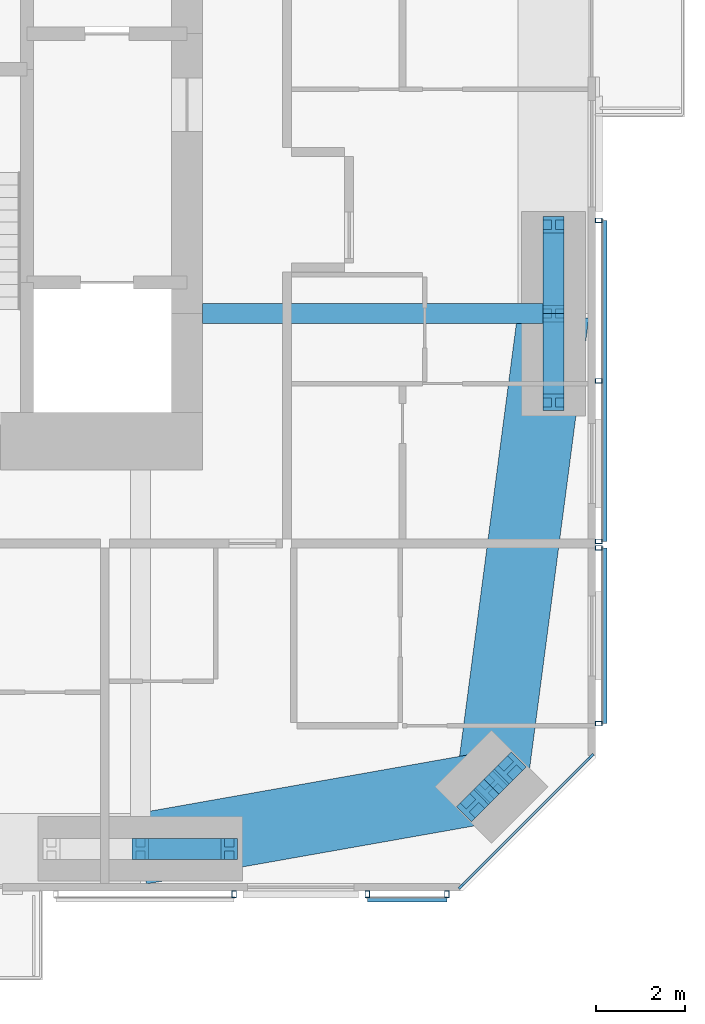
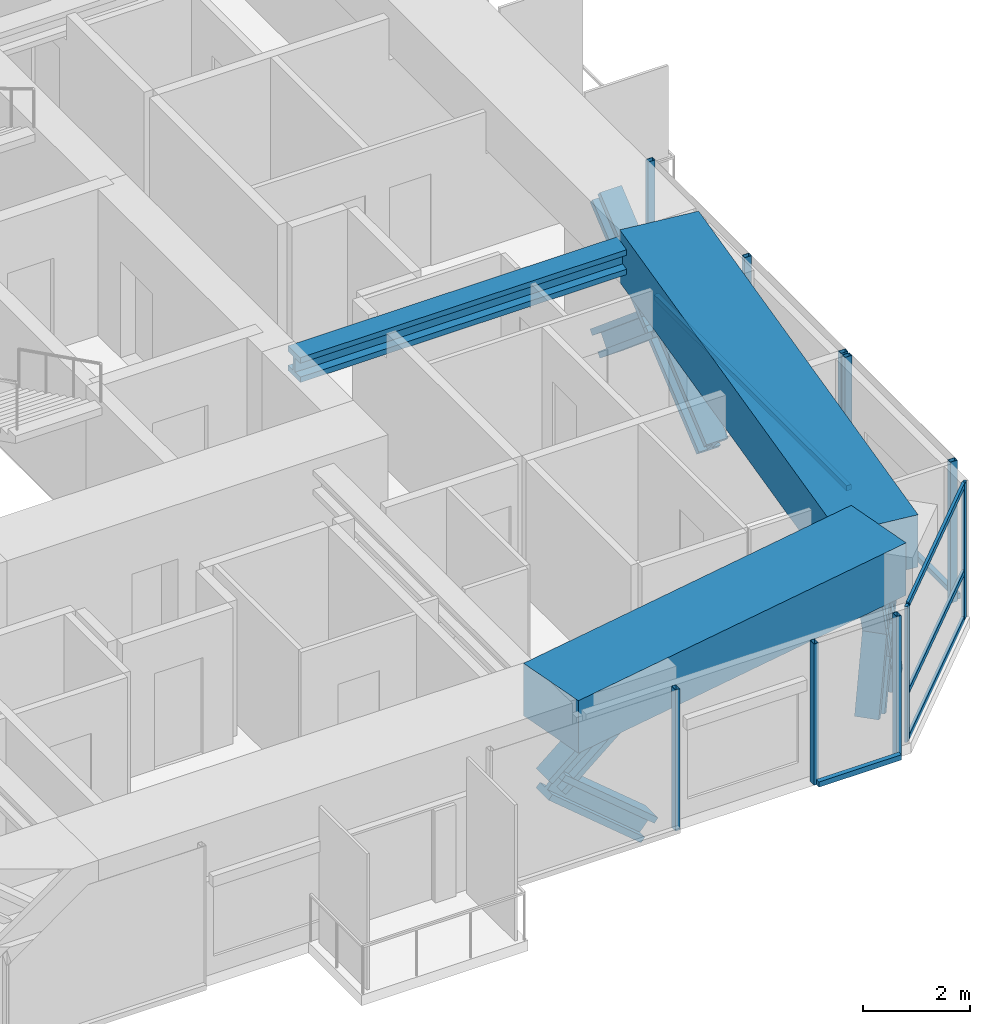
# One storey, part 7 of 23: 26 members, 3 beams, 5 elements without a shape of their own.
"""IFC4 building model written with IfcOpenShell, lengths in metres."""

from ifc_helpers import new_model, si_unit, direction, frame, origin, origin_2d, place, context, subcontext, project, spatial, rectangle, hollow_rectangle, i_section, extrude, material, material_profile, profile_set, type_object, element, aggregate, save


model = new_model("IFC4")

# Units and contexts
model_context = context("Model", 3, precision=1e-05, world=origin(), true_north=direction((0.0, 1.0)))
body_context = subcontext(model_context, "Body", "Model", "MODEL_VIEW")
ifc_project = project(units=[si_unit("LENGTHUNIT", "METRE"), si_unit("AREAUNIT", "SQUARE_METRE"), si_unit("VOLUMEUNIT", "CUBIC_METRE"), si_unit("PLANEANGLEUNIT", "RADIAN"), si_unit("MASSUNIT", "GRAM", prefix="KILO")], contexts=[model_context])

# Site, building, storey
site_placement = place(None, origin())
site = spatial("IfcSite", under=ifc_project, at=site_placement, CompositionType="ELEMENT")
building_placement = place(site_placement, origin())
building = spatial("IfcBuilding", under=site, at=building_placement, Name="Jalousie Tower", CompositionType="ELEMENT")
storey_placement = place(building_placement, frame((0.0, 0.0, 171.10009765625)))
storey = spatial("IfcBuildingStorey", under=building, at=storey_placement, Name="L46", CompositionType="ELEMENT", Elevation=171.10009765625)

# Curtain wall, members
ifc_material_1 = material(Name="Aluminium curtain wall", Category="aluminium")
curtain_wall_type_1 = type_object("IfcCurtainWallType", Name="CORNER WINDOW WALL", PredefinedType="USERDEFINED", material=ifc_material_1)
curtain_wall_1_placement = place(storey_placement, origin())
curtain_wall_1 = element("IfcCurtainWall", 1, at=curtain_wall_1_placement, inside=storey, type_object=curtain_wall_type_1, Name="Corner Window Wall L46 2", ObjectType="CORNER WINDOW WALL", PredefinedType="USERDEFINED")
ifc_material_2 = material(Name="Aluminium mullion", Category="aluminium")
ifc_material_profile_1 = material_profile(ifc_material_2, rectangle(XDim=0.06005859375, YDim=0.14990234375, at=origin_2d()), Name="MULLION 60x150")
ifc_profile_set_1 = profile_set([ifc_material_profile_1], Name="Aluminium mullion")
member_type_1 = type_object("IfcMemberType", Name="CORNER WINDOW WALL MULLION", PredefinedType="MULLION", material=ifc_profile_set_1)
member_1_placement = place(storey_placement, frame((49.969970703125, 0.108642578125, 0.0), z_axis=(0.0, 0.0, 1.0), x_axis=(-0.707106781187, 0.707106781187, 0.0)))
member_1 = element("IfcMember", 2, at=member_1_placement, type_object=member_type_1, Name="CW-C mullion 1", PredefinedType="MULLION", context=body_context, shape_type="SweptSolid", body=[
    extrude(rectangle(XDim=0.06005859375, YDim=0.14990234375, at=origin_2d()), origin(), (0.0, 0.0, 1.0), 3.10986328125),
])
member_2_placement = place(storey_placement, frame((52.891357421875, 3.030029296875, 0.0), z_axis=(0.0, 0.0, 1.0), x_axis=(-0.707106781187, 0.707106781187, 0.0)))
member_2 = element("IfcMember", 3, at=member_2_placement, type_object=member_type_1, Name="CW-C mullion 2", PredefinedType="MULLION", context=body_context, shape_type="SweptSolid", body=[
    extrude(rectangle(XDim=0.06005859375, YDim=0.14990234375, at=origin_2d()), origin(), (0.0, 0.0, 1.0), 3.10986328125),
])
ifc_material_3 = material(Name="Aluminium transom", Category="aluminium")
ifc_material_profile_2 = material_profile(ifc_material_3, rectangle(XDim=0.06005859375, YDim=0.1201171875, at=origin_2d()), Name="TRANSOM 60x120")
ifc_profile_set_2 = profile_set([ifc_material_profile_2], Name="Aluminium transom")
member_type_2 = type_object("IfcMemberType", Name="CORNER WINDOW WALL TRANSOM", PredefinedType="USERDEFINED", material=ifc_profile_set_2)
member_3_placement = place(storey_placement, frame((49.9912109375, 0.1298828125, 0.02978515625), z_axis=(0.707106781187, 0.707106781187, 0.0), x_axis=(-0.707106781187, 0.707106781187, 0.0)))
member_3 = element("IfcMember", 4, at=member_3_placement, type_object=member_type_2, Name="CW-C transom 1.1", ObjectType="TRANSOM", PredefinedType="USERDEFINED", context=body_context, shape_type="SweptSolid", body=[
    extrude(rectangle(XDim=0.06005859375, YDim=0.1201171875, at=origin_2d()), origin(), (0.0, 0.0, 1.0), 4.0712890625),
])
member_4_placement = place(storey_placement, frame((49.9912109375, 0.1298828125, 1.099853515625), z_axis=(0.707106781187, 0.707106781187, 0.0), x_axis=(-0.707106781187, 0.707106781187, 0.0)))
member_4 = element("IfcMember", 5, at=member_4_placement, type_object=member_type_2, Name="CW-C transom 1.2", ObjectType="TRANSOM", PredefinedType="USERDEFINED", context=body_context, shape_type="SweptSolid", body=[
    extrude(rectangle(XDim=0.06005859375, YDim=0.1201171875, at=origin_2d()), origin(), (0.0, 0.0, 1.0), 4.0712890625),
])
member_5_placement = place(storey_placement, frame((49.9912109375, 0.1298828125, 3.079833984375), z_axis=(0.707106781187, 0.707106781187, 0.0), x_axis=(-0.707106781187, 0.707106781187, 0.0)))
member_5 = element("IfcMember", 6, at=member_5_placement, type_object=member_type_2, Name="CW-C transom 1.3", ObjectType="TRANSOM", PredefinedType="USERDEFINED", context=body_context, shape_type="SweptSolid", body=[
    extrude(rectangle(XDim=0.06005859375, YDim=0.1201171875, at=origin_2d()), origin(), (0.0, 0.0, 1.0), 4.0712890625),
])
aggregate(curtain_wall_1, [member_1, member_2, member_3, member_4, member_5])

# Beam
ifc_material_4 = material(Name="Steel ASTM A992 Grade 50", Category="steel")
ifc_material_profile_3 = material_profile(ifc_material_4, i_section(OverallWidth=0.45458984375, OverallDepth=0.569091796875, WebThickness=0.077880859375, FlangeThickness=0.124755859375, at=origin_2d()), Name="W14X730")
ifc_profile_set_3 = profile_set([ifc_material_profile_3], Name="Steel ASTM A992 Grade 50")
beam_type_1 = type_object("IfcBeamType", Name="LEAN COLLECTOR W14X730", PredefinedType="BEAM", material=ifc_profile_set_3)
beam_1_placement = place(storey_placement, frame((52.050048828125, 13.0, 2.825439453125), z_axis=(-1.0, 0.0, 0.0), x_axis=(0.0, -1.0, 0.0)))
element("IfcBeam", 7, at=beam_1_placement, inside=storey, type_object=beam_type_1, Name="Lean collector under L47", PredefinedType="BEAM", context=body_context, shape_type="SweptSolid", body=[
    extrude(i_section(OverallWidth=0.45458984375, OverallDepth=0.569091796875, WebThickness=0.077880859375, FlangeThickness=0.124755859375, at=origin_2d()), origin(), (0.0, 0.0, 1.0), 7.900146484375),
])

# Members
ifc_material_5 = material(Name="Steel ASTM A992 Grade 50", Category="steel")
ifc_material_profile_4 = material_profile(ifc_material_5, i_section(OverallWidth=0.472412109375, OverallDepth=0.5791015625, WebThickness=0.094970703125, FlangeThickness=0.1298828125, at=origin_2d()), Name="W14X808")
ifc_profile_set_4 = profile_set([ifc_material_profile_4], Name="Steel ASTM A992 Grade 50")
member_type_3 = type_object("IfcMemberType", Name="PERIMETER BRACE W14X808", PredefinedType="BRACE", material=ifc_profile_set_4)
for number, where, z_axis, x_axis, name in (
    (8, (42.75, 0.949951171875, 1.074951171875), (0.766638753323, 0.0, 0.642078672674), (0.0, 1.0, 0.0), "Perimeter brace 04 L46 part 2"),
    (9, (44.75, 0.949951171875, -0.60009765625), (-0.766638753323, 0.0, 0.642078672674), (0.0, -1.0, 0.0), "Perimeter brace 04 L46 part 3"),
):
    element("IfcMember", number, at=place(storey_placement, frame(where, z_axis=z_axis, x_axis=x_axis)), inside=storey, type_object=member_type_3, Name=name, PredefinedType="BRACE", context=body_context, shape_type="SweptSolid", body=[
        extrude(i_section(OverallWidth=0.472412109375, OverallDepth=0.5791015625, WebThickness=0.094970703125, FlangeThickness=0.1298828125, at=origin_2d()), origin(), (0.0, 0.0, 1.0), 2.60888671875),
    ])
for number, where, z_axis, x_axis, name in (
    (10, (50.227294921875, 1.92431640625, -0.60009765625), (0.238482757655, 0.238345540878, 0.941444303953), (-0.706903267951, 0.707310235866, 0.0), "Perimeter brace 05 L46 part 1"),
    (11, (50.651611328125, 2.348388671875, 1.074951171875), (0.238345540878, 0.238482757655, 0.941444303953), (-0.707310235866, 0.706903267951, 0.0), "Perimeter brace 05 L46 part 2"),
    (12, (51.07568359375, 2.772705078125, -0.60009765625), (-0.238345540878, -0.238482757655, 0.941444303953), (0.707310235866, -0.706903267951, 0.0), "Perimeter brace 05 L46 part 3"),
    (13, (50.651611328125, 2.348388671875, 1.074951171875), (-0.238482757655, -0.238345540878, 0.941444303953), (0.706903267951, -0.707310235866, 0.0), "Perimeter brace 05 L46 part 4"),
):
    element("IfcMember", number, at=place(storey_placement, frame(where, z_axis=z_axis, x_axis=x_axis)), inside=storey, type_object=member_type_3, Name=name, PredefinedType="BRACE", context=body_context, shape_type="SweptSolid", body=[
        extrude(i_section(OverallWidth=0.472412109375, OverallDepth=0.5791015625, WebThickness=0.094970703125, FlangeThickness=0.1298828125, at=origin_2d()), origin(), (0.0, 0.0, 1.0), 1.779296875),
    ])
for number, where, z_axis, x_axis, name in (
    (14, (52.050048828125, 11.0, -0.60009765625), (0.0, 0.766638753323, 0.642078672674), (-1.0, 0.0, 0.0), "Perimeter brace 06 L46 part 1"),
    (15, (52.050048828125, 13.0, 1.074951171875), (0.0, 0.766638753323, 0.642078672674), (-1.0, 0.0, 0.0), "Perimeter brace 06 L46 part 2"),
    (16, (52.050048828125, 15.0, -0.60009765625), (0.0, -0.766638753323, 0.642078672674), (1.0, 0.0, 0.0), "Perimeter brace 06 L46 part 3"),
    (17, (52.050048828125, 13.0, 1.074951171875), (0.0, -0.766638753323, 0.642078672674), (1.0, 0.0, 0.0), "Perimeter brace 06 L46 part 4"),
):
    element("IfcMember", number, at=place(storey_placement, frame(where, z_axis=z_axis, x_axis=x_axis)), inside=storey, type_object=member_type_3, Name=name, PredefinedType="BRACE", context=body_context, shape_type="SweptSolid", body=[
        extrude(i_section(OverallWidth=0.472412109375, OverallDepth=0.5791015625, WebThickness=0.094970703125, FlangeThickness=0.1298828125, at=origin_2d()), origin(), (0.0, 0.0, 1.0), 2.60888671875),
    ])

# Beams
ifc_material_6 = material(Name="Concrete f'c 40 MPa", Category="concrete")
ifc_material_profile_5 = material_profile(ifc_material_6, rectangle(XDim=1.60009765625, YDim=1.199951171875, at=origin_2d()), Name="RC 1600x1200")
ifc_profile_set_5 = profile_set([ifc_material_profile_5], Name="Concrete f'c 40 MPa")
beam_type_2 = type_object("IfcBeamType", Name="RC BEAM 1600x1200", PredefinedType="BEAM", material=ifc_profile_set_5)
beam_2_placement = place(storey_placement, frame((42.75, 0.949951171875, 2.75), z_axis=(0.984697370688, 0.174273027632, 0.0), x_axis=(-0.174273027632, 0.984697370688, 0.0)))
element("IfcBeam", 18, at=beam_2_placement, inside=storey, type_object=beam_type_2, Name="Edge band beam 04-05 under L47", PredefinedType="BEAM", context=body_context, shape_type="SweptSolid", body=[
    extrude(rectangle(XDim=1.60009765625, YDim=1.199951171875, at=origin_2d()), origin(), (0.0, 0.0, 1.0), 8.0244140625),
])
beam_3_placement = place(storey_placement, frame((50.651611328125, 2.348388671875, 2.75), z_axis=(0.130171745558, 0.991491460709, 0.0), x_axis=(-0.991491460709, 0.130171745558, 0.0)))
element("IfcBeam", 19, at=beam_3_placement, inside=storey, type_object=beam_type_2, Name="Edge band beam 05-06 under L47", PredefinedType="BEAM", context=body_context, shape_type="SweptSolid", body=[
    extrude(rectangle(XDim=1.60009765625, YDim=1.199951171875, at=origin_2d()), origin(), (0.0, 0.0, 1.0), 10.742919921875),
])

# Curtain wall, member
ifc_material_7 = material(Name="Perforated aluminium sheet", Category="aluminium")
curtain_wall_type_2 = type_object("IfcCurtainWallType", Name="SOLAR SCREEN SS-1", PredefinedType="USERDEFINED", material=ifc_material_7)
curtain_wall_2_placement = place(storey_placement, origin())
curtain_wall_2 = element("IfcCurtainWall", 20, at=curtain_wall_2_placement, inside=storey, type_object=curtain_wall_type_2, Name="Solar screen L46", ObjectType="SOLAR SCREEN SS-1", PredefinedType="USERDEFINED")
ifc_material_8 = material(Name="Steel ASTM A500 Grade C", Category="steel")
ifc_material_profile_6 = material_profile(ifc_material_8, hollow_rectangle(XDim=0.1015625, YDim=0.15234375, WallThickness=0.00634765625, at=origin_2d()), Name="HSS6X4X1/4")
ifc_profile_set_6 = profile_set([ifc_material_profile_6], Name="Steel ASTM A500 Grade C")
member_type_4 = type_object("IfcMemberType", Name="SOLAR SCREEN SS-1 MULLION", PredefinedType="MULLION", material=ifc_profile_set_6)
member_6_placement = place(storey_placement, frame((44.859375, -0.0712890625, -0.1201171875), z_axis=(0.0, 0.0, 1.0), x_axis=(1.0, 0.0, 0.0)))
member_6 = element("IfcMember", 21, at=member_6_placement, type_object=member_type_4, Name="SS1 post 2", PredefinedType="MULLION", context=body_context, shape_type="SweptSolid", body=[
    extrude(hollow_rectangle(XDim=0.1015625, YDim=0.15234375, WallThickness=0.00634765625, at=origin_2d()), origin(), (0.0, 0.0, 1.0), 3.22998046875),
])
aggregate(curtain_wall_2, [member_6])

# Curtain wall, members
curtain_wall_3_placement = place(storey_placement, origin())
curtain_wall_3 = element("IfcCurtainWall", 22, at=curtain_wall_3_placement, inside=storey, type_object=curtain_wall_type_2, Name="Solar screen L46", ObjectType="SOLAR SCREEN SS-1", PredefinedType="USERDEFINED")
member_7_placement = place(storey_placement, frame((47.859375, -0.0712890625, -0.1201171875), z_axis=(0.0, 0.0, 1.0), x_axis=(1.0, 0.0, 0.0)))
member_7 = element("IfcMember", 23, at=member_7_placement, type_object=member_type_4, Name="SS1 post 1", PredefinedType="MULLION", context=body_context, shape_type="SweptSolid", body=[
    extrude(hollow_rectangle(XDim=0.1015625, YDim=0.15234375, WallThickness=0.00634765625, at=origin_2d()), origin(), (0.0, 0.0, 1.0), 3.22998046875),
])
member_8_placement = place(storey_placement, frame((49.648681640625, -0.0712890625, -0.1201171875), z_axis=(0.0, 0.0, 1.0), x_axis=(1.0, 0.0, 0.0)))
member_8 = element("IfcMember", 24, at=member_8_placement, type_object=member_type_4, Name="SS1 post 2", PredefinedType="MULLION", context=body_context, shape_type="SweptSolid", body=[
    extrude(hollow_rectangle(XDim=0.1015625, YDim=0.15234375, WallThickness=0.00634765625, at=origin_2d()), origin(), (0.0, 0.0, 1.0), 3.22998046875),
])

curtain_wall_4_placement = place(storey_placement, origin())
curtain_wall_4 = element("IfcCurtainWall", 25, at=curtain_wall_4_placement, inside=storey, type_object=curtain_wall_type_2, Name="Solar screen L46", ObjectType="SOLAR SCREEN SS-1", PredefinedType="USERDEFINED")
member_9_placement = place(storey_placement, frame((53.0712890625, 3.771240234375, -0.1201171875), z_axis=(0.0, 0.0, 1.0), x_axis=(0.0, 1.0, 0.0)))
member_9 = element("IfcMember", 26, at=member_9_placement, type_object=member_type_4, Name="SS1 post 1", PredefinedType="MULLION", context=body_context, shape_type="SweptSolid", body=[
    extrude(hollow_rectangle(XDim=0.1015625, YDim=0.15234375, WallThickness=0.00634765625, at=origin_2d()), origin(), (0.0, 0.0, 1.0), 3.22998046875),
])
member_10_placement = place(storey_placement, frame((53.0712890625, 7.72509765625, -0.1201171875), z_axis=(0.0, 0.0, 1.0), x_axis=(0.0, 1.0, 0.0)))
member_10 = element("IfcMember", 27, at=member_10_placement, type_object=member_type_4, Name="SS1 post 2", PredefinedType="MULLION", context=body_context, shape_type="SweptSolid", body=[
    extrude(hollow_rectangle(XDim=0.1015625, YDim=0.15234375, WallThickness=0.00634765625, at=origin_2d()), origin(), (0.0, 0.0, 1.0), 3.22998046875),
])

curtain_wall_5_placement = place(storey_placement, origin())
curtain_wall_5 = element("IfcCurtainWall", 28, at=curtain_wall_5_placement, inside=storey, type_object=curtain_wall_type_2, Name="Solar screen L46", ObjectType="SOLAR SCREEN SS-1", PredefinedType="USERDEFINED")
member_11_placement = place(storey_placement, frame((53.0712890625, 7.875, -0.1201171875), z_axis=(0.0, 0.0, 1.0), x_axis=(0.0, 1.0, 0.0)))
member_11 = element("IfcMember", 29, at=member_11_placement, type_object=member_type_4, Name="SS1 post 1", PredefinedType="MULLION", context=body_context, shape_type="SweptSolid", body=[
    extrude(hollow_rectangle(XDim=0.1015625, YDim=0.15234375, WallThickness=0.00634765625, at=origin_2d()), origin(), (0.0, 0.0, 1.0), 3.22998046875),
])
member_12_placement = place(storey_placement, frame((53.0712890625, 11.487548828125, -0.1201171875), z_axis=(0.0, 0.0, 1.0), x_axis=(0.0, 1.0, 0.0)))
member_12 = element("IfcMember", 30, at=member_12_placement, type_object=member_type_4, Name="SS1 post 2", PredefinedType="MULLION", context=body_context, shape_type="SweptSolid", body=[
    extrude(hollow_rectangle(XDim=0.1015625, YDim=0.15234375, WallThickness=0.00634765625, at=origin_2d()), origin(), (0.0, 0.0, 1.0), 3.22998046875),
])
member_13_placement = place(storey_placement, frame((53.0712890625, 15.10009765625, -0.1201171875), z_axis=(0.0, 0.0, 1.0), x_axis=(0.0, 1.0, 0.0)))
member_13 = element("IfcMember", 31, at=member_13_placement, type_object=member_type_4, Name="SS1 post 3", PredefinedType="MULLION", context=body_context, shape_type="SweptSolid", body=[
    extrude(hollow_rectangle(XDim=0.1015625, YDim=0.15234375, WallThickness=0.00634765625, at=origin_2d()), origin(), (0.0, 0.0, 1.0), 3.22998046875),
])

# Member
ifc_material_9 = material(Name="Extruded aluminium screen rail", Category="aluminium")
ifc_material_profile_7 = material_profile(ifc_material_9, rectangle(XDim=0.1015625, YDim=0.1201171875, at=origin_2d()), Name="RAIL 102x120")
ifc_profile_set_7 = profile_set([ifc_material_profile_7], Name="Extruded aluminium screen rail")
member_type_5 = type_object("IfcMemberType", Name="SOLAR SCREEN SS-1 TRANSOM", PredefinedType="USERDEFINED", material=ifc_profile_set_7)
member_14_placement = place(storey_placement, frame((47.859375, -0.1982421875, -0.06005859375), z_axis=(1.0, 0.0, 0.0), x_axis=(0.0, 1.0, 0.0)))
member_14 = element("IfcMember", 32, at=member_14_placement, type_object=member_type_5, Name="SS1 rail", ObjectType="TRANSOM", PredefinedType="USERDEFINED", context=body_context, shape_type="SweptSolid", body=[
    extrude(rectangle(XDim=0.1015625, YDim=0.1201171875, at=origin_2d()), origin(), (0.0, 0.0, 1.0), 1.789306640625),
])

aggregate(curtain_wall_3, [member_7, member_8, member_14])

member_15_placement = place(storey_placement, frame((53.1982421875, 3.771240234375, -0.06005859375), z_axis=(0.0, 1.0, 0.0), x_axis=(-1.0, 0.0, 0.0)))
member_15 = element("IfcMember", 33, at=member_15_placement, type_object=member_type_5, Name="SS1 rail", ObjectType="TRANSOM", PredefinedType="USERDEFINED", context=body_context, shape_type="SweptSolid", body=[
    extrude(rectangle(XDim=0.1015625, YDim=0.1201171875, at=origin_2d()), origin(), (0.0, 0.0, 1.0), 3.953857421875),
])

aggregate(curtain_wall_4, [member_9, member_10, member_15])

member_16_placement = place(storey_placement, frame((53.1982421875, 7.875, -0.06005859375), z_axis=(0.0, 1.0, 0.0), x_axis=(-1.0, 0.0, 0.0)))
member_16 = element("IfcMember", 34, at=member_16_placement, type_object=member_type_5, Name="SS1 rail", ObjectType="TRANSOM", PredefinedType="USERDEFINED", context=body_context, shape_type="SweptSolid", body=[
    extrude(rectangle(XDim=0.1015625, YDim=0.1201171875, at=origin_2d()), origin(), (0.0, 0.0, 1.0), 7.22509765625),
])

aggregate(curtain_wall_5, [member_11, member_12, member_13, member_16])

save(model, "model.ifc")
